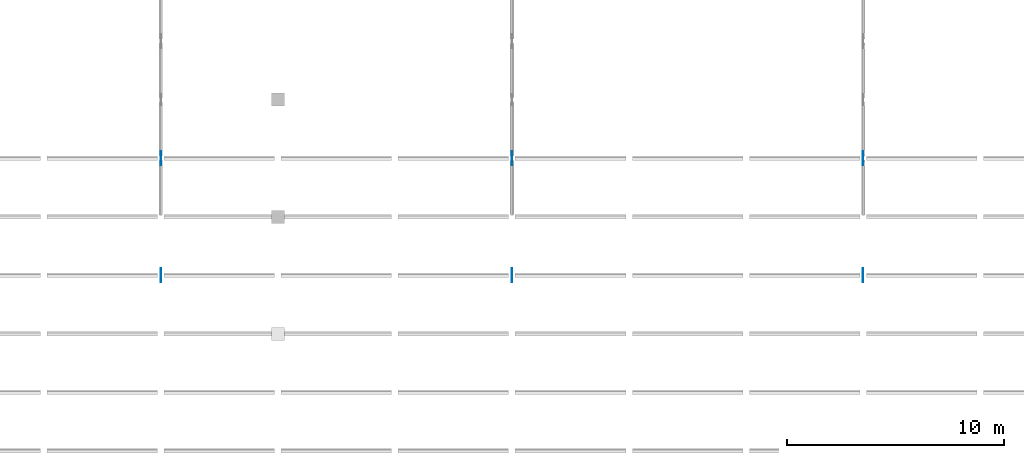
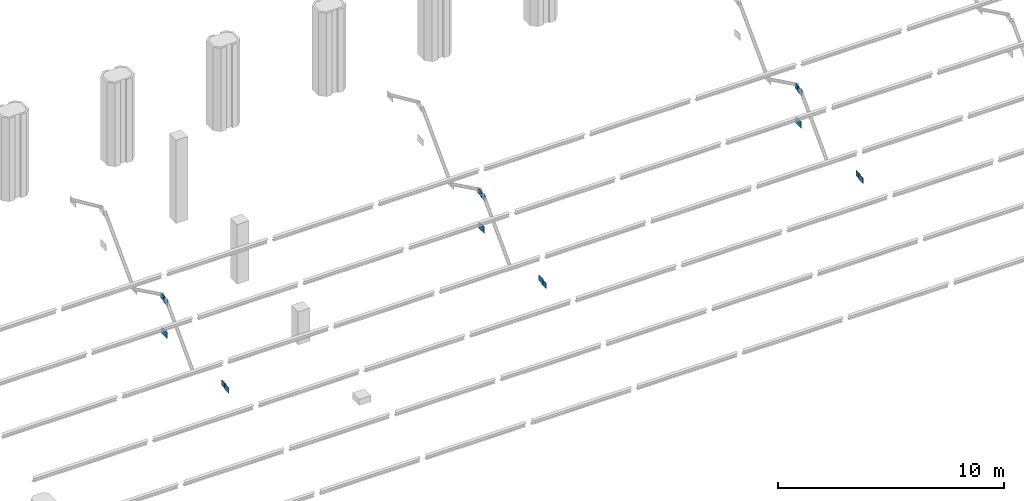
# One storey, part 16 of 23: 15 discrete accessories.
"""IFC4 building model written with IfcOpenShell, lengths in metres."""

from ifc_helpers import new_model, si_unit, direction, frame, origin, origin_2d, place, context, subcontext, project, spatial, rectangle, extrude, material, layer, layer_set, type_object, element, save


model = new_model("IFC4")

# Units and contexts
model_context = context("Model", 3, precision=1e-05, world=origin(), true_north=direction((0.0, 1.0)))
body_context = subcontext(model_context, "Body", "Model", "MODEL_VIEW")
ifc_project = project(units=[si_unit("LENGTHUNIT", "METRE"), si_unit("AREAUNIT", "SQUARE_METRE"), si_unit("VOLUMEUNIT", "CUBIC_METRE"), si_unit("PLANEANGLEUNIT", "RADIAN"), si_unit("MASSUNIT", "GRAM", prefix="KILO")], contexts=[model_context])

# Site, building, storey
site_placement = place(None, origin())
site = spatial("IfcSite", under=ifc_project, at=site_placement, CompositionType="ELEMENT")
building_placement = place(site_placement, origin())
building = spatial("IfcBuilding", under=site, at=building_placement, Name="Tabaq Tower and Sports Hall", CompositionType="ELEMENT")
storey_placement = place(building_placement, frame((0.0, 0.0, 29.10009765625)))
storey = spatial("IfcBuildingStorey", under=building, at=storey_placement, Name="L05", CompositionType="ELEMENT", Elevation=29.10009765625)

# Discrete accessories
ifc_material_1 = material(Name="Steel S355", Category="steel")
ifc_layer_1 = layer(ifc_material_1, 0.02001953125)
ifc_layer_set_1 = layer_set([ifc_layer_1], Name="ROOF TRUSS BEARING PLATE 400x300x20 S355")
discrete_accessory_type_1 = type_object("IfcDiscreteAccessoryType", Name="ROOF TRUSS BEARING PLATE 400x300x20 S355", PredefinedType="ANCHORPLATE", material=ifc_layer_set_1)
for number, where, z_axis, x_axis, name in (
    (1, (75.60009765625, 24.179931640625, 0.80126953125), (0.0, 0.0, 1.0), (1.0, 0.0, 0.0), "Roof truss 1 bearing plate 05"),
    (2, (75.60009765625, 24.419921875, 0.865234375), (0.0, 0.0, 1.0), (1.0, 0.0, 0.0), "Roof truss 1 bearing plate 06"),
    (3, (75.60009765625, 29.580078125, 2.248046875), (0.0, 0.0, 1.0), (1.0, 0.0, 0.0), "Roof truss 1 bearing plate 07"),
    (4, (75.60009765625, 29.820068359375, 2.3125), (0.0, 0.0, 1.0), (1.0, 0.0, 0.0), "Roof truss 1 bearing plate 08"),
    (5, (91.800048828125, 24.179931640625, 0.80126953125), (0.0, 0.0, 1.0), (1.0, 0.0, 0.0), "Roof truss 2 bearing plate 05"),
    (6, (91.800048828125, 24.419921875, 0.865234375), (0.0, 0.0, 1.0), (1.0, 0.0, 0.0), "Roof truss 2 bearing plate 06"),
    (7, (91.800048828125, 29.580078125, 2.248046875), (0.0, 0.0, 1.0), (1.0, 0.0, 0.0), "Roof truss 2 bearing plate 07"),
    (8, (91.800048828125, 29.820068359375, 2.3125), (0.0, 0.0, 1.0), (1.0, 0.0, 0.0), "Roof truss 2 bearing plate 08"),
    (9, (108.0, 24.179931640625, 0.80126953125), (0.0, 0.0, 1.0), (1.0, 0.0, 0.0), "Roof truss 3 bearing plate 05"),
    (10, (108.0, 24.419921875, 0.865234375), (0.0, 0.0, 1.0), (1.0, 0.0, 0.0), "Roof truss 3 bearing plate 06"),
    (11, (108.0, 29.580078125, 2.248046875), (0.0, 0.0, 1.0), (1.0, 0.0, 0.0), "Roof truss 3 bearing plate 07"),
    (12, (108.0, 29.820068359375, 2.3125), (0.0, 0.0, 1.0), (1.0, 0.0, 0.0), "Roof truss 3 bearing plate 08"),
):
    element("IfcDiscreteAccessory", number, at=place(storey_placement, frame(where, z_axis=z_axis, x_axis=x_axis)), inside=storey, type_object=discrete_accessory_type_1, Name=name, PredefinedType="ANCHORPLATE", context=body_context, shape_type="SweptSolid", body=[
        extrude(rectangle(XDim=0.02001953125, YDim=0.39990234375, at=origin_2d()), origin(), (0.0, 0.0, 1.0), 0.300048828125),
    ])
ifc_material_2 = material(Name="Steel S355", Category="steel")
ifc_layer_2 = layer(ifc_material_2, 0.02001953125)
ifc_layer_set_2 = layer_set([ifc_layer_2], Name="ROOF TRUSS NODE PLATE 500x350x20 S355")
discrete_accessory_type_2 = type_object("IfcDiscreteAccessoryType", Name="ROOF TRUSS NODE PLATE 500x350x20 S355", PredefinedType="ANCHORPLATE", material=ifc_layer_set_2)
for number, where, z_axis, x_axis, name in (
    (13, (75.60009765625, 29.699951171875, 0.465087890625), (0.0, 0.0, 1.0), (1.0, 0.0, 0.0), "Roof truss 1 node plate 08"),
    (14, (91.800048828125, 29.699951171875, 0.465087890625), (0.0, 0.0, 1.0), (1.0, 0.0, 0.0), "Roof truss 2 node plate 08"),
    (15, (108.0, 29.699951171875, 0.465087890625), (0.0, 0.0, 1.0), (1.0, 0.0, 0.0), "Roof truss 3 node plate 08"),
):
    element("IfcDiscreteAccessory", number, at=place(storey_placement, frame(where, z_axis=z_axis, x_axis=x_axis)), inside=storey, type_object=discrete_accessory_type_2, Name=name, PredefinedType="ANCHORPLATE", context=body_context, shape_type="SweptSolid", body=[
        extrude(rectangle(XDim=0.02001953125, YDim=0.5, at=origin_2d()), origin(), (0.0, 0.0, 1.0), 0.35009765625),
    ])

save(model, "model.ifc")
